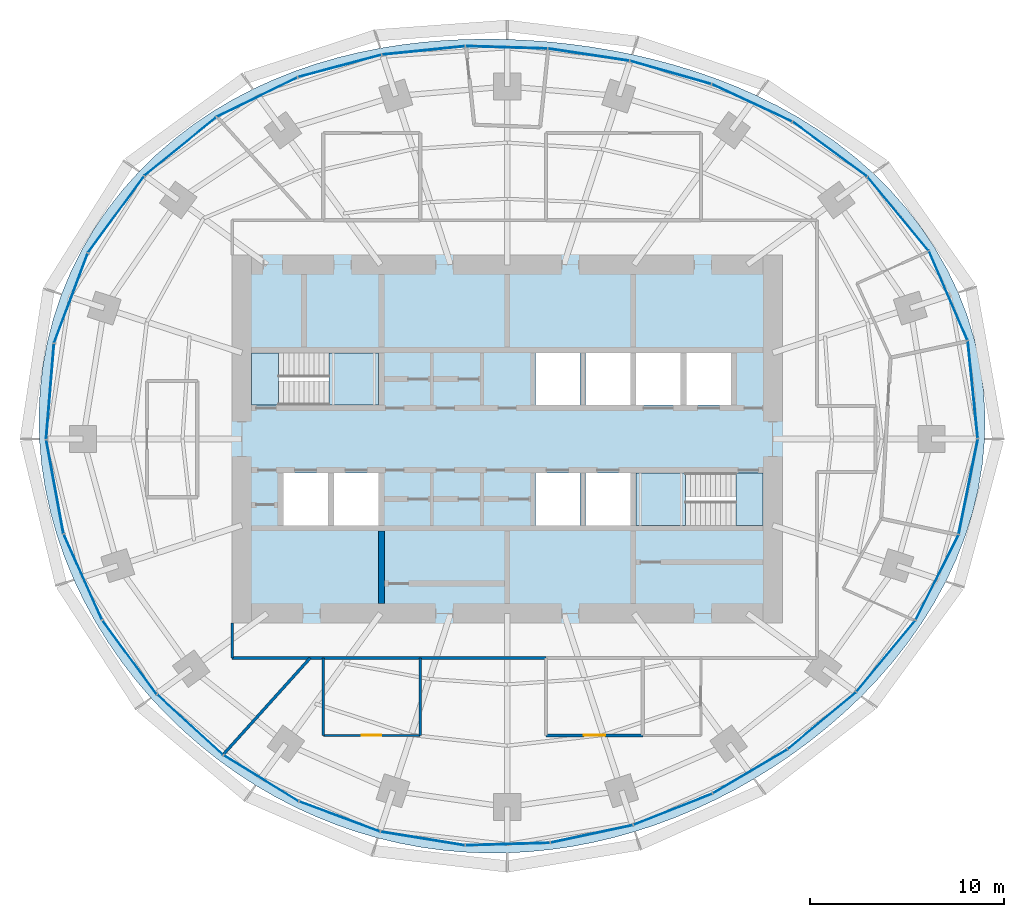
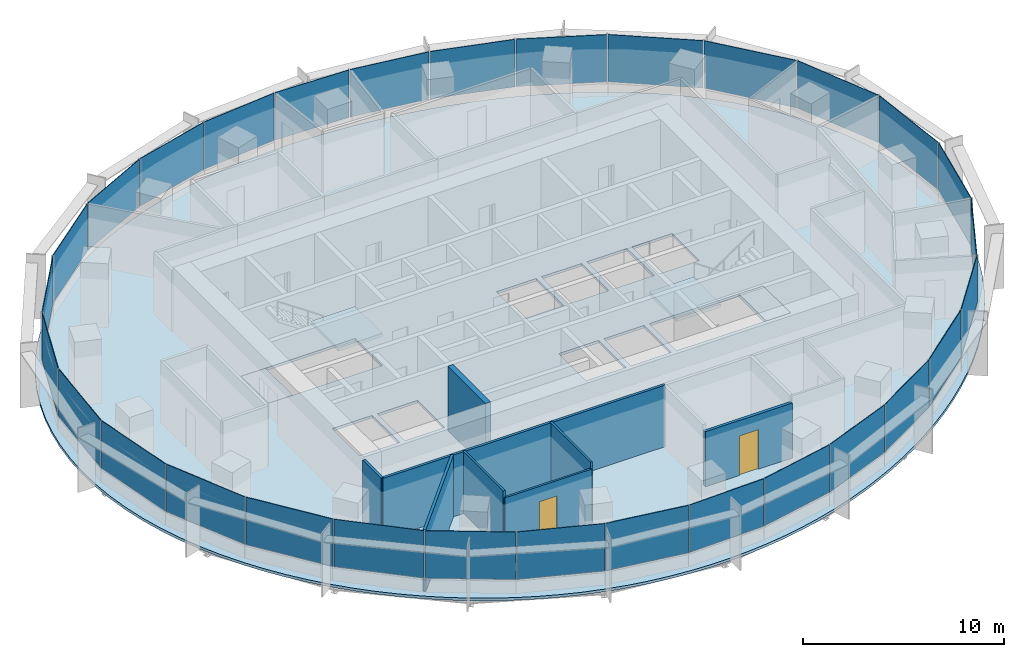
# One storey, part 9 of 15: 30 plates, 8 walls, 5 slabs, 2 doors, 2 openings, 8 elements without a shape of their own.
"""IFC4 building model written with IfcOpenShell, lengths in metres."""

from ifc_helpers import new_model, si_unit, direction, frame, frame_2d, origin, origin_2d, place, context, subcontext, project, spatial, polyline, rectangle, outline, extrude, material, layer, layer_set, type_object, element, fill, aggregate, save


model = new_model("IFC4")

# Units and contexts
model_context = context("Model", 3, precision=1e-05, world=origin(), true_north=direction((0.0, 1.0)))
body_context = subcontext(model_context, "Body", "Model", "MODEL_VIEW")
ifc_project = project(units=[si_unit("LENGTHUNIT", "METRE"), si_unit("AREAUNIT", "SQUARE_METRE"), si_unit("VOLUMEUNIT", "CUBIC_METRE"), si_unit("PLANEANGLEUNIT", "RADIAN"), si_unit("MASSUNIT", "GRAM", prefix="KILO")], contexts=[model_context])

# Site, building, storey
site_placement = place(None, origin())
site = spatial("IfcSite", under=ifc_project, at=site_placement, CompositionType="ELEMENT")
building_placement = place(site_placement, origin())
building = spatial("IfcBuilding", under=site, at=building_placement, Name="Marramba Exchange Tower", CompositionType="ELEMENT")
storey_placement = place(building_placement, frame((0.0, 0.0, 211.10009765625)))
storey = spatial("IfcBuildingStorey", under=building, at=storey_placement, Name="L51", CompositionType="ELEMENT", Elevation=211.10009765625)

# Slab
ifc_material_1 = material(Name="Concrete N40", Category="concrete")
ifc_layer_1 = layer(ifc_material_1, 0.159912109375)
ifc_layer_set_1 = layer_set([ifc_layer_1], Name="Composite floor slab 160")
slab_type_1 = type_object("IfcSlabType", Name="Composite floor slab 160", PredefinedType="FLOOR", material=ifc_layer_set_1)
slab_1_placement = place(storey_placement, frame((0.0, 0.0, -0.16015625)))
element("IfcSlab", 1, at=slab_1_placement, inside=storey, type_object=slab_type_1, Name="Floor slab L51", PredefinedType="FLOOR", context=body_context, shape_type="SweptSolid", body=[
    extrude(outline(polyline([(24.64404296875, 0.0), (24.661376953125, 1.29248046875), (24.580078125, 2.58349609375), (24.399658203125, 3.864501953125), (24.12109375, 5.127197265625), (23.7470703125, 6.363037109375), (23.281494140625, 7.564697265625), (22.72900390625, 8.724853515625), (22.095947265625, 9.837646484375), (21.388427734375, 10.89794921875), (20.614013671875, 11.901611328125), (19.780029296875, 12.845458984375), (18.894287109375, 13.7275390625), (17.964111328125, 14.547119140625), (16.996826171875, 15.303955078125), (15.9990234375, 15.9990234375), (14.977294921875, 16.634033203125), (13.936767578125, 17.21044921875), (12.882568359375, 17.7314453125), (11.819091796875, 18.19970703125), (10.749267578125, 18.6181640625), (9.67578125, 18.989990234375), (8.60107421875, 19.318115234375), (7.52587890625, 19.60546875), (6.451171875, 19.8544921875), (5.377197265625, 20.067626953125), (4.303466796875, 20.246337890625), (3.229736328125, 20.39208984375), (2.1552734375, 20.50537109375), (1.078857421875, 20.5869140625), (0.0, 20.63623046875), (-1.082275390625, 20.652587890625), (-2.168701171875, 20.634765625), (-3.259765625, 20.580810546875), (-4.35498046875, 20.4892578125), (-5.45458984375, 20.35693359375), (-6.557373046875, 20.181884765625), (-7.662353515625, 19.9609375), (-8.76708984375, 19.691162109375), (-9.869384765625, 19.369873046875), (-10.96630859375, 18.994384765625), (-12.05419921875, 18.561767578125), (-13.128662109375, 18.070068359375), (-14.185546875, 17.517578125), (-15.218994140625, 16.902587890625), (-16.22412109375, 16.22412109375), (-17.195068359375, 15.482421875), (-18.12548828125, 14.677734375), (-19.009521484375, 13.811279296875), (-19.841064453125, 12.885009765625), (-20.614013671875, 11.901611328125), (-21.32275390625, 10.864501953125), (-21.9619140625, 9.778076171875), (-22.52685546875, 8.647216796875), (-23.01318359375, 7.477294921875), (-23.417724609375, 6.274658203125), (-23.73779296875, 5.045654296875), (-23.971923828125, 3.796875), (-24.119384765625, 2.53515625), (-24.180419921875, 1.267333984375), (-24.156005859375, 0.0), (-24.04833984375, -1.26025390625), (-23.860107421875, -2.5078125), (-23.594482421875, -3.737060546875), (-23.25537109375, -4.943115234375), (-22.846923828125, -6.121826171875), (-22.373291015625, -7.26953125), (-21.8388671875, -8.38330078125), (-21.247802734375, -9.460205078125), (-20.604248046875, -10.49853515625), (-19.912109375, -11.496337890625), (-19.174560546875, -12.4521484375), (-18.395263671875, -13.364990234375), (-17.5771484375, -14.233642578125), (-16.72265625, -15.05712890625), (-15.834228515625, -15.834228515625), (-14.914794921875, -16.564453125), (-13.966064453125, -17.24658203125), (-12.990234375, -17.879638671875), (-11.98974609375, -18.46240234375), (-10.96630859375, -18.994384765625), (-9.922607421875, -19.47412109375), (-8.860595703125, -19.901123046875), (-7.78271484375, -20.2744140625), (-6.691162109375, -20.593505859375), (-5.5888671875, -20.858154296875), (-4.478271484375, -21.068115234375), (-3.361328125, -21.22314453125), (-2.2412109375, -21.32373046875), (-1.119873046875, -21.370361328125), (0.0, -21.36376953125), (1.116455078125, -21.3046875), (2.2275390625, -21.194580078125), (3.33154296875, -21.0341796875), (4.426513671875, -20.8251953125), (5.511474609375, -20.56884765625), (6.5849609375, -20.266357421875), (7.646240234375, -19.919189453125), (8.694580078125, -19.528076171875), (9.72900390625, -19.09423828125), (10.749267578125, -18.6181640625), (11.75439453125, -18.100341796875), (12.744140625, -17.541015625), (13.71728515625, -16.939697265625), (14.6728515625, -16.2958984375), (15.609130859375, -15.609130859375), (16.5244140625, -14.878662109375), (17.415771484375, -14.10302734375), (18.280029296875, -13.28125), (19.11376953125, -12.41259765625), (19.912109375, -11.496337890625), (20.669921875, -10.531982421875), (21.3818359375, -9.519775390625), (22.041259765625, -8.4609375), (22.641845703125, -7.356689453125), (23.176513671875, -6.210205078125), (23.638671875, -5.024658203125), (24.022216796875, -3.8046875), (24.32080078125, -2.55615234375), (24.529541015625, -1.28564453125), (24.64404296875, 0.0)]), holes=[polyline([(1.449951171875, 1.75), (3.75, 1.75), (3.75, 4.449951171875), (1.449951171875, 4.449951171875), (1.449951171875, 1.75)]), polyline([(4.050048828125, 1.75), (6.35009765625, 1.75), (6.35009765625, 4.449951171875), (4.050048828125, 4.449951171875), (4.050048828125, 1.75)]), polyline([(1.449951171875, -4.449951171875), (3.75, -4.449951171875), (3.75, -1.75), (1.449951171875, -1.75), (1.449951171875, -4.449951171875)]), polyline([(4.050048828125, -4.449951171875), (6.35009765625, -4.449951171875), (6.35009765625, -1.75), (4.050048828125, -1.75), (4.050048828125, -4.449951171875)]), polyline([(6.64990234375, 1.75), (8.949951171875, 1.75), (8.949951171875, 4.449951171875), (6.64990234375, 4.449951171875), (6.64990234375, 1.75)]), polyline([(-8.949951171875, -4.449951171875), (-6.64990234375, -4.449951171875), (-6.64990234375, -1.75), (-8.949951171875, -1.75), (-8.949951171875, -4.449951171875)]), polyline([(-11.550048828125, -4.449951171875), (-9.25, -4.449951171875), (-9.25, -1.75), (-11.550048828125, -1.75), (-11.550048828125, -4.449951171875)]), polyline([(9.25, 1.75), (11.550048828125, 1.75), (11.550048828125, 4.449951171875), (9.25, 4.449951171875), (9.25, 1.75)]), polyline([(-13.199951171875, 1.75), (-6.64990234375, 1.75), (-6.64990234375, 4.449951171875), (-13.199951171875, 4.449951171875), (-13.199951171875, 1.75)]), polyline([(6.64990234375, -4.449951171875), (13.199951171875, -4.449951171875), (13.199951171875, -1.75), (6.64990234375, -1.75), (6.64990234375, -4.449951171875)])]), origin(), (0.0, 0.0, 1.0), 0.16015625),
])

# Curtain wall, plates
ifc_material_2 = material(Name="Aluminium framing, bronze anodised", Category="aluminium")
curtain_wall_type = type_object("IfcCurtainWallType", Name="Office ribbon curtain wall", PredefinedType="USERDEFINED", material=ifc_material_2)
curtain_wall_1_placement = place(storey_placement, origin())
curtain_wall_1 = element("IfcCurtainWall", 2, at=curtain_wall_1_placement, inside=storey, type_object=curtain_wall_type, Name="Curtain wall CW4 L51 F01-F05", ObjectType="RIBBON CURTAIN WALL", PredefinedType="USERDEFINED")
ifc_material_3 = material(Name="Laminated double glazed unit 10.76 + 16 + 10.76, bronze tinted", Category="glass")
ifc_layer_2 = layer(ifc_material_3, 0.03759765625)
ifc_layer_set_2 = layer_set([ifc_layer_2], Name="Office ribbon curtain wall panel")
plate_type = type_object("IfcPlateType", Name="Office ribbon curtain wall panel", PredefinedType="CURTAIN_PANEL", material=ifc_layer_set_2)
plate_1_placement = place(storey_placement, frame((24.033203125, 2.556884765625, 0.85986328125), z_axis=(0.0, 0.0, 1.0), x_axis=(-0.101422472607, 0.994843446001, 0.0)))
plate_1 = element("IfcPlate", 3, at=plate_1_placement, type_object=plate_type, Name="CW4 vision panel", PredefinedType="CURTAIN_PANEL", context=body_context, shape_type="SweptSolid", body=[
    extrude(rectangle(XDim=5.0205078125, YDim=0.03759765625, at=origin_2d()), origin(), (0.0, 0.0, 1.0), 2.8798828125),
])
plate_2_placement = place(storey_placement, frame((22.765625, 7.40234375, 0.85986328125), z_axis=(0.0, 0.0, 1.0), x_axis=(-0.396193346946, 0.918167104527, 0.0)))
plate_2 = element("IfcPlate", 4, at=plate_2_placement, type_object=plate_type, Name="CW4 vision panel", PredefinedType="CURTAIN_PANEL", context=body_context, shape_type="SweptSolid", body=[
    extrude(rectangle(XDim=4.99462890625, YDim=0.03759765625, at=origin_2d()), origin(), (0.0, 0.0, 1.0), 2.8798828125),
])
plate_3_placement = place(storey_placement, frame((20.174560546875, 11.631591796875, 0.85986328125), z_axis=(0.0, 0.0, 1.0), x_axis=(-0.637350227411, 0.770574258342, 0.0)))
plate_3 = element("IfcPlate", 5, at=plate_3_placement, type_object=plate_type, Name="CW4 vision panel", PredefinedType="CURTAIN_PANEL", context=body_context, shape_type="SweptSolid", body=[
    extrude(rectangle(XDim=4.90576171875, YDim=0.03759765625, at=origin_2d()), origin(), (0.0, 0.0, 1.0), 2.8798828125),
])
plate_4_placement = place(storey_placement, frame((16.653076171875, 14.965576171875, 0.85986328125), z_axis=(0.0, 0.0, 1.0), x_axis=(-0.804877259395, 0.593441317494, 0.0)))
plate_4 = element("IfcPlate", 6, at=plate_4_placement, type_object=plate_type, Name="CW4 vision panel", PredefinedType="CURTAIN_PANEL", context=body_context, shape_type="SweptSolid", body=[
    extrude(rectangle(XDim=4.745849609375, YDim=0.03759765625, at=origin_2d()), origin(), (0.0, 0.0, 1.0), 2.8798828125),
])
plate_5_placement = place(storey_placement, frame((12.63134765625, 17.357177734375, 0.85986328125), z_axis=(0.0, 0.0, 1.0), x_axis=(-0.906533907301, 0.422133006189, 0.0)))
plate_5 = element("IfcPlate", 7, at=plate_5_placement, type_object=plate_type, Name="CW4 vision panel", PredefinedType="CURTAIN_PANEL", context=body_context, shape_type="SweptSolid", body=[
    extrude(rectangle(XDim=4.53857421875, YDim=0.03759765625, at=origin_2d()), origin(), (0.0, 0.0, 1.0), 2.8798828125),
])
aggregate(curtain_wall_1, [plate_1, plate_2, plate_3, plate_4, plate_5])

curtain_wall_2_placement = place(storey_placement, origin())
curtain_wall_2 = element("IfcCurtainWall", 8, at=curtain_wall_2_placement, inside=storey, type_object=curtain_wall_type, Name="Curtain wall CW4 L51 F06-F10", ObjectType="RIBBON CURTAIN WALL", PredefinedType="USERDEFINED")
plate_6_placement = place(storey_placement, frame((8.4296875, 18.926513671875, 0.85986328125), z_axis=(0.0, 0.0, 1.0), x_axis=(-0.961658954195, 0.274248164656, 0.0)))
plate_6 = element("IfcPlate", 9, at=plate_6_placement, type_object=plate_type, Name="CW4 vision panel", PredefinedType="CURTAIN_PANEL", context=body_context, shape_type="SweptSolid", body=[
    extrude(rectangle(XDim=4.33984375, YDim=0.03759765625, at=origin_2d()), origin(), (0.0, 0.0, 1.0), 2.8798828125),
])
plate_7_placement = place(storey_placement, frame((4.201171875, 19.843994140625, 0.85986328125), z_axis=(0.0, 0.0, 1.0), x_axis=(-0.988868065698, 0.148794988635, 0.0)))
plate_7 = element("IfcPlate", 10, at=plate_7_placement, type_object=plate_type, Name="CW4 vision panel", PredefinedType="CURTAIN_PANEL", context=body_context, shape_type="SweptSolid", body=[
    extrude(rectangle(XDim=4.2119140625, YDim=0.03759765625, at=origin_2d()), origin(), (0.0, 0.0, 1.0), 2.8798828125),
])
plate_8_placement = place(storey_placement, frame((-0.036865234375, 20.222900390625, 0.85986328125), z_axis=(0.0, 0.0, 1.0), x_axis=(-0.999538000143, 0.03039385249, 0.0)))
plate_8 = element("IfcPlate", 11, at=plate_8_placement, type_object=plate_type, Name="CW4 vision panel", PredefinedType="CURTAIN_PANEL", context=body_context, shape_type="SweptSolid", body=[
    extrude(rectangle(XDim=4.19287109375, YDim=0.03759765625, at=origin_2d()), origin(), (0.0, 0.0, 1.0), 2.8798828125),
])
plate_9_placement = place(storey_placement, frame((-4.320556640625, 20.064697265625, 0.85986328125), z_axis=(0.0, 0.0, 1.0), x_axis=(-0.994900357369, -0.100862673507, 0.0)))
plate_9 = element("IfcPlate", 12, at=plate_9_placement, type_object=plate_type, Name="CW4 vision panel", PredefinedType="CURTAIN_PANEL", context=body_context, shape_type="SweptSolid", body=[
    extrude(rectangle(XDim=4.279296875, YDim=0.03759765625, at=origin_2d()), origin(), (0.0, 0.0, 1.0), 2.8798828125),
])
plate_10_placement = place(storey_placement, frame((-8.6494140625, 19.262451171875, 0.85986328125), z_axis=(0.0, 0.0, 1.0), x_axis=(-0.966240653155, -0.257641223778, 0.0)))
plate_10 = element("IfcPlate", 13, at=plate_10_placement, type_object=plate_type, Name="CW4 vision panel", PredefinedType="CURTAIN_PANEL", context=body_context, shape_type="SweptSolid", body=[
    extrude(rectangle(XDim=4.433837890625, YDim=0.03759765625, at=origin_2d()), origin(), (0.0, 0.0, 1.0), 2.8798828125),
])
aggregate(curtain_wall_2, [plate_6, plate_7, plate_8, plate_9, plate_10])

curtain_wall_3_placement = place(storey_placement, origin())
curtain_wall_3 = element("IfcCurtainWall", 14, at=curtain_wall_3_placement, inside=storey, type_object=curtain_wall_type, Name="Curtain wall CW4 L51 F11-F15", ObjectType="RIBBON CURTAIN WALL", PredefinedType="USERDEFINED")
plate_11_placement = place(storey_placement, frame((-12.9150390625, 17.653564453125, 0.85986328125), z_axis=(0.0, 0.0, 1.0), x_axis=(-0.898500518805, -0.438972456661, 0.0)))
plate_11 = element("IfcPlate", 15, at=plate_11_placement, type_object=plate_type, Name="CW4 vision panel", PredefinedType="CURTAIN_PANEL", context=body_context, shape_type="SweptSolid", body=[
    extrude(rectangle(XDim=4.607177734375, YDim=0.03759765625, at=origin_2d()), origin(), (0.0, 0.0, 1.0), 2.8798828125),
])
plate_12_placement = place(storey_placement, frame((-16.87890625, 15.10498046875, 0.85986328125), z_axis=(0.0, 0.0, 1.0), x_axis=(-0.776432169145, -0.630200830464, 0.0)))
plate_12 = element("IfcPlate", 16, at=plate_12_placement, type_object=plate_type, Name="CW4 vision panel", PredefinedType="CURTAIN_PANEL", context=body_context, shape_type="SweptSolid", body=[
    extrude(rectangle(XDim=4.7587890625, YDim=0.03759765625, at=origin_2d()), origin(), (0.0, 0.0, 1.0), 2.8798828125),
])
plate_13_placement = place(storey_placement, frame((-20.2021484375, 11.596435546875, 0.85986328125), z_axis=(0.0, 0.0, 1.0), x_axis=(-0.591962922138, -0.805965197024, 0.0)))
plate_13 = element("IfcPlate", 17, at=plate_13_placement, type_object=plate_type, Name="CW4 vision panel", PredefinedType="CURTAIN_PANEL", context=body_context, shape_type="SweptSolid", body=[
    extrude(rectangle(XDim=4.865478515625, YDim=0.03759765625, at=origin_2d()), origin(), (0.0, 0.0, 1.0), 2.8798828125),
])
plate_14_placement = place(storey_placement, frame((-22.529296875, 7.276123046875, 0.85986328125), z_axis=(0.0, 0.0, 1.0), x_axis=(-0.351951515885, -0.936018231909, 0.0)))
plate_14 = element("IfcPlate", 18, at=plate_14_placement, type_object=plate_type, Name="CW4 vision panel", PredefinedType="CURTAIN_PANEL", context=body_context, shape_type="SweptSolid", body=[
    extrude(rectangle(XDim=4.921630859375, YDim=0.03759765625, at=origin_2d()), origin(), (0.0, 0.0, 1.0), 2.8798828125),
])
plate_15_placement = place(storey_placement, frame((-23.603271484375, 2.45654296875, 0.85986328125), z_axis=(0.0, 0.0, 1.0), x_axis=(-0.082280890264, -0.996609178714, 0.0)))
plate_15 = element("IfcPlate", 19, at=plate_15_placement, type_object=plate_type, Name="CW4 vision panel", PredefinedType="CURTAIN_PANEL", context=body_context, shape_type="SweptSolid", body=[
    extrude(rectangle(XDim=4.9296875, YDim=0.03759765625, at=origin_2d()), origin(), (0.0, 0.0, 1.0), 2.8798828125),
])
aggregate(curtain_wall_3, [plate_11, plate_12, plate_13, plate_14, plate_15])

curtain_wall_4_placement = place(storey_placement, origin())
curtain_wall_4 = element("IfcCurtainWall", 20, at=curtain_wall_4_placement, inside=storey, type_object=curtain_wall_type, Name="Curtain wall CW4 L51 F16-F20", ObjectType="RIBBON CURTAIN WALL", PredefinedType="USERDEFINED")
plate_16_placement = place(storey_placement, frame((-23.354248046875, -2.464599609375, 0.85986328125), z_axis=(0.0, 0.0, 1.0), x_axis=(0.180327438996, -0.983606636184, 0.0)))
plate_16 = element("IfcPlate", 21, at=plate_16_placement, type_object=plate_type, Name="CW4 vision panel", PredefinedType="CURTAIN_PANEL", context=body_context, shape_type="SweptSolid", body=[
    extrude(rectangle(XDim=4.8916015625, YDim=0.03759765625, at=origin_2d()), origin(), (0.0, 0.0, 1.0), 2.8798828125),
])
plate_17_placement = place(storey_placement, frame((-21.908447265625, -7.12158203125, 0.85986328125), z_axis=(0.0, 0.0, 1.0), x_axis=(0.407557580942, -0.913179510401, 0.0)))
plate_17 = element("IfcPlate", 22, at=plate_17_placement, type_object=plate_type, Name="CW4 vision panel", PredefinedType="CURTAIN_PANEL", context=body_context, shape_type="SweptSolid", body=[
    extrude(rectangle(XDim=4.810302734375, YDim=0.03759765625, at=origin_2d()), origin(), (0.0, 0.0, 1.0), 2.8798828125),
])
plate_18_placement = place(storey_placement, frame((-19.50244140625, -11.2626953125, 0.85986328125), z_axis=(0.0, 0.0, 1.0), x_axis=(0.591223103363, -0.806508054547, 0.0)))
plate_18 = element("IfcPlate", 23, at=plate_18_placement, type_object=plate_type, Name="CW4 vision panel", PredefinedType="CURTAIN_PANEL", context=body_context, shape_type="SweptSolid", body=[
    extrude(rectangle(XDim=4.703125, YDim=0.03759765625, at=origin_2d()), origin(), (0.0, 0.0, 1.0), 2.8798828125),
])
plate_19_placement = place(storey_placement, frame((-16.374267578125, -14.752197265625, 0.85986328125), z_axis=(0.0, 0.0, 1.0), x_axis=(0.737203264245, -0.67567103474, 0.0)))
plate_19 = element("IfcPlate", 24, at=plate_19_placement, type_object=plate_type, Name="CW4 vision panel", PredefinedType="CURTAIN_PANEL", context=body_context, shape_type="SweptSolid", body=[
    extrude(rectangle(XDim=4.594970703125, YDim=0.03759765625, at=origin_2d()), origin(), (0.0, 0.0, 1.0), 2.8798828125),
])
plate_20_placement = place(storey_placement, frame((-12.71044921875, -17.513427734375, 0.85986328125), z_axis=(0.0, 0.0, 1.0), x_axis=(0.85230101176, -0.52305160869, 0.0)))
plate_20 = element("IfcPlate", 25, at=plate_20_placement, type_object=plate_type, Name="CW4 vision panel", PredefinedType="CURTAIN_PANEL", context=body_context, shape_type="SweptSolid", body=[
    extrude(rectangle(XDim=4.503173828125, YDim=0.03759765625, at=origin_2d()), origin(), (0.0, 0.0, 1.0), 2.8798828125),
])
aggregate(curtain_wall_4, [plate_16, plate_17, plate_18, plate_19, plate_20])

curtain_wall_5_placement = place(storey_placement, origin())
curtain_wall_5 = element("IfcCurtainWall", 26, at=curtain_wall_5_placement, inside=storey, type_object=curtain_wall_type, Name="Curtain wall CW4 L51 F21-F25", ObjectType="RIBBON CURTAIN WALL", PredefinedType="USERDEFINED")
plate_21_placement = place(storey_placement, frame((-8.6591796875, -19.486572265625, 0.85986328125), z_axis=(0.0, 0.0, 1.0), x_axis=(0.936951583142, -0.349459197687, 0.0)))
plate_21 = element("IfcPlate", 27, at=plate_21_placement, type_object=plate_type, Name="CW4 vision panel", PredefinedType="CURTAIN_PANEL", context=body_context, shape_type="SweptSolid", body=[
    extrude(rectangle(XDim=4.431396484375, YDim=0.03759765625, at=origin_2d()), origin(), (0.0, 0.0, 1.0), 2.8798828125),
])
plate_22_placement = place(storey_placement, frame((-4.3642578125, -20.623046875, 0.85986328125), z_axis=(0.0, 0.0, 1.0), x_axis=(0.986930623159, -0.161145726194, 0.0)))
plate_22 = element("IfcPlate", 28, at=plate_22_placement, type_object=plate_type, Name="CW4 vision panel", PredefinedType="CURTAIN_PANEL", context=body_context, shape_type="SweptSolid", body=[
    extrude(rectangle(XDim=4.37646484375, YDim=0.03759765625, at=origin_2d()), origin(), (0.0, 0.0, 1.0), 2.8798828125),
])
plate_23_placement = place(storey_placement, frame((0.023193359375, -20.91015625, 0.85986328125), z_axis=(0.0, 0.0, 1.0), x_axis=(0.99956791915, 0.029393451762, 0.0)))
plate_23 = element("IfcPlate", 29, at=plate_23_placement, type_object=plate_type, Name="CW4 vision panel", PredefinedType="CURTAIN_PANEL", context=body_context, shape_type="SweptSolid", body=[
    extrude(rectangle(XDim=4.337646484375, YDim=0.03759765625, at=origin_2d()), origin(), (0.0, 0.0, 1.0), 2.8798828125),
])
plate_24_placement = place(storey_placement, frame((4.36328125, -20.3837890625, 0.85986328125), z_axis=(0.0, 0.0, 1.0), x_axis=(0.978058069607, 0.208332456608, 0.0)))
plate_24 = element("IfcPlate", 30, at=plate_24_placement, type_object=plate_type, Name="CW4 vision panel", PredefinedType="CURTAIN_PANEL", context=body_context, shape_type="SweptSolid", body=[
    extrude(rectangle(XDim=4.32177734375, YDim=0.03759765625, at=origin_2d()), origin(), (0.0, 0.0, 1.0), 2.8798828125),
])
plate_25_placement = place(storey_placement, frame((8.553466796875, -19.11328125, 0.85986328125), z_axis=(0.0, 0.0, 1.0), x_axis=(0.93007301435, 0.367374724195, 0.0)))
plate_25 = element("IfcPlate", 31, at=plate_25_placement, type_object=plate_type, Name="CW4 vision panel", PredefinedType="CURTAIN_PANEL", context=body_context, shape_type="SweptSolid", body=[
    extrude(rectangle(XDim=4.345458984375, YDim=0.03759765625, at=origin_2d()), origin(), (0.0, 0.0, 1.0), 2.8798828125),
])
aggregate(curtain_wall_5, [plate_21, plate_22, plate_23, plate_24, plate_25])

curtain_wall_6_placement = place(storey_placement, origin())
curtain_wall_6 = element("IfcCurtainWall", 32, at=curtain_wall_6_placement, inside=storey, type_object=curtain_wall_type, Name="Curtain wall CW4 L51 F26-F30", ObjectType="RIBBON CURTAIN WALL", PredefinedType="USERDEFINED")
plate_26_placement = place(storey_placement, frame((12.5322265625, -17.16015625, 0.85986328125), z_axis=(0.0, 0.0, 1.0), x_axis=(0.861350833897, 0.508010571686, 0.0)))
plate_26 = element("IfcPlate", 33, at=plate_26_placement, type_object=plate_type, Name="CW4 vision panel", PredefinedType="CURTAIN_PANEL", context=body_context, shape_type="SweptSolid", body=[
    extrude(rectangle(XDim=4.426513671875, YDim=0.03759765625, at=origin_2d()), origin(), (0.0, 0.0, 1.0), 2.8798828125),
])
plate_27_placement = place(storey_placement, frame((16.240966796875, -14.536376953125, 0.85986328125), z_axis=(0.0, 0.0, 1.0), x_axis=(0.768736798421, 0.639565270127, 0.0)))
plate_27 = element("IfcPlate", 34, at=plate_27_placement, type_object=plate_type, Name="CW4 vision panel", PredefinedType="CURTAIN_PANEL", context=body_context, shape_type="SweptSolid", body=[
    extrude(rectangle(XDim=4.568603515625, YDim=0.03759765625, at=origin_2d()), origin(), (0.0, 0.0, 1.0), 2.8798828125),
])
plate_28_placement = place(storey_placement, frame((19.548583984375, -11.203369140625, 0.85986328125), z_axis=(0.0, 0.0, 1.0), x_axis=(0.63814998673, 0.769912069289, 0.0)))
plate_28 = element("IfcPlate", 35, at=plate_28_placement, type_object=plate_type, Name="CW4 vision panel", PredefinedType="CURTAIN_PANEL", context=body_context, shape_type="SweptSolid", body=[
    extrude(rectangle(XDim=4.7431640625, YDim=0.03759765625, at=origin_2d()), origin(), (0.0, 0.0, 1.0), 2.8798828125),
])
plate_29_placement = place(storey_placement, frame((22.19287109375, -7.137939453125, 0.85986328125), z_axis=(0.0, 0.0, 1.0), x_axis=(0.450673083956, 0.892689067591, 0.0)))
plate_29 = element("IfcPlate", 36, at=plate_29_placement, type_object=plate_type, Name="CW4 vision panel", PredefinedType="CURTAIN_PANEL", context=body_context, shape_type="SweptSolid", body=[
    extrude(rectangle(XDim=4.897705078125, YDim=0.03759765625, at=origin_2d()), origin(), (0.0, 0.0, 1.0), 2.8798828125),
])
plate_30_placement = place(storey_placement, frame((23.801025390625, -2.446533203125, 0.85986328125), z_axis=(0.0, 0.0, 1.0), x_axis=(0.197495405316, 0.980303812539, 0.0)))
plate_30 = element("IfcPlate", 37, at=plate_30_placement, type_object=plate_type, Name="CW4 vision panel", PredefinedType="CURTAIN_PANEL", context=body_context, shape_type="SweptSolid", body=[
    extrude(rectangle(XDim=4.9912109375, YDim=0.03759765625, at=origin_2d()), origin(), (0.0, 0.0, 1.0), 2.8798828125),
])
aggregate(curtain_wall_6, [plate_26, plate_27, plate_28, plate_29, plate_30])

# Stair, slabs
ifc_material_4 = material(Name="Concrete N40 (40 MPa)", Category="concrete")
stair_type_1 = type_object("IfcStairType", Name="Exit stair ST1 3900 x 1250", PredefinedType="HALF_TURN_STAIR", material=ifc_material_4)
stair_1_placement = place(storey_placement, origin())
stair_1 = element("IfcStair", 38, at=stair_1_placement, inside=storey, type_object=stair_type_1, Name="Exit stair ST1 L51", PredefinedType="HALF_TURN_STAIR")
ifc_layer_3 = layer(ifc_material_4, 0.199951171875)
ifc_layer_set_3 = layer_set([ifc_layer_3], Name="Stair landing 200")
slab_type_2 = type_object("IfcSlabType", Name="Stair landing 200", PredefinedType="LANDING", material=ifc_layer_set_3)
slab_2_placement = place(storey_placement, frame((0.0, 0.0, -0.2001953125)))
slab_2 = element("IfcSlab", 39, at=slab_2_placement, type_object=slab_type_2, Name="ST1 landing 1", PredefinedType="LANDING", context=body_context, shape_type="SweptSolid", body=[
    extrude(outline(polyline([(-13.199951171875, 1.75), (-11.800048828125, 1.75), (-11.800048828125, 4.449951171875), (-13.199951171875, 4.449951171875), (-13.199951171875, 1.75)])), origin(), (0.0, 0.0, 1.0), 0.2001953125),
])
slab_3_placement = place(storey_placement, frame((0.0, 0.0, 1.75)))
slab_3 = element("IfcSlab", 40, at=slab_3_placement, type_object=slab_type_2, Name="ST1 landing 2", PredefinedType="LANDING", context=body_context, shape_type="SweptSolid", body=[
    extrude(outline(polyline([(-9.199951171875, 1.75), (-6.64990234375, 1.75), (-6.64990234375, 4.449951171875), (-9.199951171875, 4.449951171875), (-9.199951171875, 1.75)])), origin(), (0.0, 0.0, 1.0), 0.199951171875),
])
aggregate(stair_1, [slab_2, slab_3])

stair_type_2 = type_object("IfcStairType", Name="Exit stair ST2 3900 x 1250", PredefinedType="HALF_TURN_STAIR", material=ifc_material_4)
stair_2_placement = place(storey_placement, origin())
stair_2 = element("IfcStair", 41, at=stair_2_placement, inside=storey, type_object=stair_type_2, Name="Exit stair ST2 L51", PredefinedType="HALF_TURN_STAIR")
slab_4_placement = place(storey_placement, frame((0.0, 0.0, -0.2001953125)))
slab_4 = element("IfcSlab", 42, at=slab_4_placement, type_object=slab_type_2, Name="ST2 landing 1", PredefinedType="LANDING", context=body_context, shape_type="SweptSolid", body=[
    extrude(outline(polyline([(11.800048828125, -4.449951171875), (13.199951171875, -4.449951171875), (13.199951171875, -1.75), (11.800048828125, -1.75), (11.800048828125, -4.449951171875)])), origin(), (0.0, 0.0, 1.0), 0.2001953125),
])
slab_5_placement = place(storey_placement, frame((0.0, 0.0, 1.75)))
slab_5 = element("IfcSlab", 43, at=slab_5_placement, type_object=slab_type_2, Name="ST2 landing 2", PredefinedType="LANDING", context=body_context, shape_type="SweptSolid", body=[
    extrude(outline(polyline([(6.64990234375, -4.449951171875), (9.199951171875, -4.449951171875), (9.199951171875, -1.75), (6.64990234375, -1.75), (6.64990234375, -4.449951171875)])), origin(), (0.0, 0.0, 1.0), 0.199951171875),
])
aggregate(stair_2, [slab_4, slab_5])

# Wall, opening, door
ifc_material_5 = material(Name="Plasterboard on staggered double steel studs, acoustic insulation", Category="steel")
ifc_layer_4 = layer(ifc_material_5, 0.169921875)
ifc_layer_set_4 = layer_set([ifc_layer_4], Name="Acoustic partition 170")
wall_type_1 = type_object("IfcWallType", Name="Acoustic partition 170", PredefinedType="PARTITIONING", material=ifc_layer_set_4)
wall_1_placement = place(storey_placement, frame((2.0, -15.300048828125, 0.0), z_axis=(0.0, 0.0, 1.0), x_axis=(1.0, 0.0, 0.0)))
wall_1 = element("IfcWall", 44, at=wall_1_placement, inside=storey, type_object=wall_type_1, Name="Acoustic partition L51 09", PredefinedType="PARTITIONING", context=body_context, shape_type="SweptSolid", body=[
    extrude(rectangle(XDim=5.0, YDim=0.169921875, at=frame_2d((2.5, 0.0))), origin(), (0.0, 0.0, 1.0), 3.333984375),
])
opening_1_placement = place(wall_1_placement, frame((1.949951171875, 0.0, 0.0)))
opening_1 = element("IfcOpeningElement", 45, at=opening_1_placement, cuts=wall_1, Name="Opening D15", PredefinedType="OPENING", context=body_context, shape_type="SweptSolid", body=[
    extrude(rectangle(XDim=1.10009765625, YDim=2.39990234375, at=frame_2d((0.550048828125, 1.199951171875))), frame((0.0, 0.094970703125, 0.0), z_axis=(0.0, -1.0, 0.0), x_axis=(1.0, 0.0, 0.0)), (0.0, 0.0, 1.0), 0.18994140625),
])
ifc_material_6 = material(Name="Timber door", Category="wood")
door_type_1 = type_object("IfcDoorType", Name="Glazed meeting room door 1100x2400", OperationType="SINGLE_SWING_LEFT", PredefinedType="DOOR", material=ifc_material_6)
door_1_placement = place(opening_1_placement, origin())
door_1 = element("IfcDoor", 46, at=door_1_placement, inside=storey, type_object=door_type_1, Name="D15 Meeting Room 3 L51", OperationType="SINGLE_SWING_RIGHT", OverallHeight=2.39990234375, OverallWidth=1.10009765625, PredefinedType="DOOR", context=body_context, shape_type="SweptSolid", body=[
    extrude(rectangle(XDim=1.10009765625, YDim=2.39990234375, at=frame_2d((0.550048828125, 1.199951171875))), frame((0.0, 0.02490234375, 0.0), z_axis=(0.0, -1.0, 0.0), x_axis=(1.0, 0.0, 0.0)), (0.0, 0.0, 1.0), 0.050048828125),
])
fill(opening_1, door_1)

# Walls
ifc_material_7 = material(Name="Concrete N50", Category="concrete")
ifc_layer_5 = layer(ifc_material_7, 0.300048828125)
ifc_layer_set_5 = layer_set([ifc_layer_5], Name="Core wall 300")
wall_type_2 = type_object("IfcWallType", Name="Core wall 300", PredefinedType="SHEAR", material=ifc_layer_set_5)
wall_2_placement = place(storey_placement, frame((-6.5, -4.75, 0.0), z_axis=(0.0, 0.0, 1.0), x_axis=(0.0, -1.0, 0.0)))
element("IfcWall", 47, at=wall_2_placement, inside=storey, type_object=wall_type_2, Name="Core wall X0Sb L51", PredefinedType="SHEAR", context=body_context, shape_type="SweptSolid", body=[
    extrude(rectangle(XDim=3.75, YDim=0.300048828125, at=frame_2d((1.875, 0.0))), origin(), (0.0, 0.0, 1.0), 3.89990234375),
])
ifc_material_8 = material(Name="Plasterboard on steel studs", Category="steel")
ifc_layer_6 = layer(ifc_material_8, 0.1201171875)
ifc_layer_set_6 = layer_set([ifc_layer_6], Name="Partition 120")
wall_type_3 = type_object("IfcWallType", Name="Partition 120", PredefinedType="PARTITIONING", material=ifc_layer_set_6)
wall_3_placement = place(storey_placement, frame((-9.5, -11.300048828125, 0.0), z_axis=(0.0, 0.0, 1.0), x_axis=(0.0, -1.0, 0.0)))
element("IfcWall", 48, at=wall_3_placement, inside=storey, type_object=wall_type_3, Name="Partition L51 04", PredefinedType="PARTITIONING", context=body_context, shape_type="SweptSolid", body=[
    extrude(rectangle(XDim=4.0, YDim=0.1201171875, at=frame_2d((2.0, 0.0))), origin(), (0.0, 0.0, 1.0), 3.739990234375),
])

# Wall, opening, door
wall_4_placement = place(storey_placement, frame((-9.5, -15.300048828125, 0.0), z_axis=(0.0, 0.0, 1.0), x_axis=(1.0, 0.0, 0.0)))
wall_4 = element("IfcWall", 49, at=wall_4_placement, inside=storey, type_object=wall_type_3, Name="Partition L51 06", PredefinedType="PARTITIONING", context=body_context, shape_type="SweptSolid", body=[
    extrude(rectangle(XDim=5.0, YDim=0.1201171875, at=frame_2d((2.5, 0.0))), origin(), (0.0, 0.0, 1.0), 3.333984375),
])
opening_2_placement = place(wall_4_placement, frame((2.0, 0.0, 0.0)))
opening_2 = element("IfcOpeningElement", 50, at=opening_2_placement, cuts=wall_4, Name="Opening D9", PredefinedType="OPENING", context=body_context, shape_type="SweptSolid", body=[
    extrude(rectangle(XDim=1.0, YDim=2.39990234375, at=frame_2d((0.5, 1.199951171875))), frame((0.0, 0.070068359375, 0.0), z_axis=(0.0, -1.0, 0.0), x_axis=(1.0, 0.0, 0.0)), (0.0, 0.0, 1.0), 0.14013671875),
])
door_type_2 = type_object("IfcDoorType", Name="Room door 1000x2400", OperationType="SINGLE_SWING_LEFT", PredefinedType="DOOR", material=ifc_material_6)
door_2_placement = place(opening_2_placement, origin())
door_2 = element("IfcDoor", 51, at=door_2_placement, inside=storey, type_object=door_type_2, Name="D9 Pantry 2 L51", OperationType="SINGLE_SWING_RIGHT", OverallHeight=2.39990234375, OverallWidth=1.0, PredefinedType="DOOR", context=body_context, shape_type="SweptSolid", body=[
    extrude(rectangle(XDim=1.0, YDim=2.39990234375, at=frame_2d((0.5, 1.199951171875))), frame((0.0, 0.02490234375, 0.0), z_axis=(0.0, -1.0, 0.0), x_axis=(1.0, 0.0, 0.0)), (0.0, 0.0, 1.0), 0.050048828125),
])
fill(opening_2, door_2)

# Walls
wall_5_placement = place(storey_placement, frame((-4.5, -15.300048828125, 0.0), z_axis=(0.0, 0.0, 1.0), x_axis=(0.0, 1.0, 0.0)))
element("IfcWall", 52, at=wall_5_placement, inside=storey, type_object=wall_type_3, Name="Partition L51 07", PredefinedType="PARTITIONING", context=body_context, shape_type="SweptSolid", body=[
    extrude(rectangle(XDim=4.0, YDim=0.1201171875, at=frame_2d((2.0, 0.0))), origin(), (0.0, 0.0, 1.0), 3.739990234375),
])
ifc_material_9 = material(Name="Fire-rated plasterboard on steel studs, acoustic insulation", Category="steel")
ifc_layer_7 = layer(ifc_material_9, 0.14990234375)
ifc_layer_set_7 = layer_set([ifc_layer_7], Name="Tenancy wall 150")
wall_type_4 = type_object("IfcWallType", Name="Tenancy wall 150", PredefinedType="PARTITIONING", material=ifc_layer_set_7)
wall_6_placement = place(storey_placement, frame((-14.199951171875, -9.5, 0.0), z_axis=(0.0, 0.0, 1.0), x_axis=(0.0, -1.0, 0.0)))
element("IfcWall", 53, at=wall_6_placement, inside=storey, type_object=wall_type_4, Name="Tenancy wall L51 02", PredefinedType="PARTITIONING", context=body_context, shape_type="SweptSolid", body=[
    extrude(rectangle(XDim=1.800048828125, YDim=0.14990234375, at=frame_2d((0.89990234375, 0.0))), origin(), (0.0, 0.0, 1.0), 3.739990234375),
])
wall_7_placement = place(storey_placement, frame((-14.626953125, -16.2451171875, 0.0), z_axis=(0.0, 0.0, 1.0), x_axis=(0.669116748293, 0.743157303102, 0.0)))
element("IfcWall", 54, at=wall_7_placement, inside=storey, type_object=wall_type_4, Name="Tenancy wall L51 03", PredefinedType="PARTITIONING", context=body_context, shape_type="SweptSolid", body=[
    extrude(rectangle(XDim=6.654052734375, YDim=0.14990234375, at=frame_2d((3.3271484375, 0.0))), origin(), (0.0, 0.0, 1.0), 3.739990234375),
])
wall_8_placement = place(storey_placement, frame((-14.199951171875, -11.300048828125, 0.0), z_axis=(0.0, 0.0, 1.0), x_axis=(1.0, 0.0, 0.0)))
element("IfcWall", 55, at=wall_8_placement, inside=storey, type_object=wall_type_4, Name="Tenancy wall L51 05", PredefinedType="PARTITIONING", context=body_context, shape_type="SweptSolid", body=[
    extrude(rectangle(XDim=16.199951171875, YDim=0.14990234375, at=frame_2d((8.10009765625, 0.0))), origin(), (0.0, 0.0, 1.0), 3.739990234375),
])

save(model, "model.ifc")
